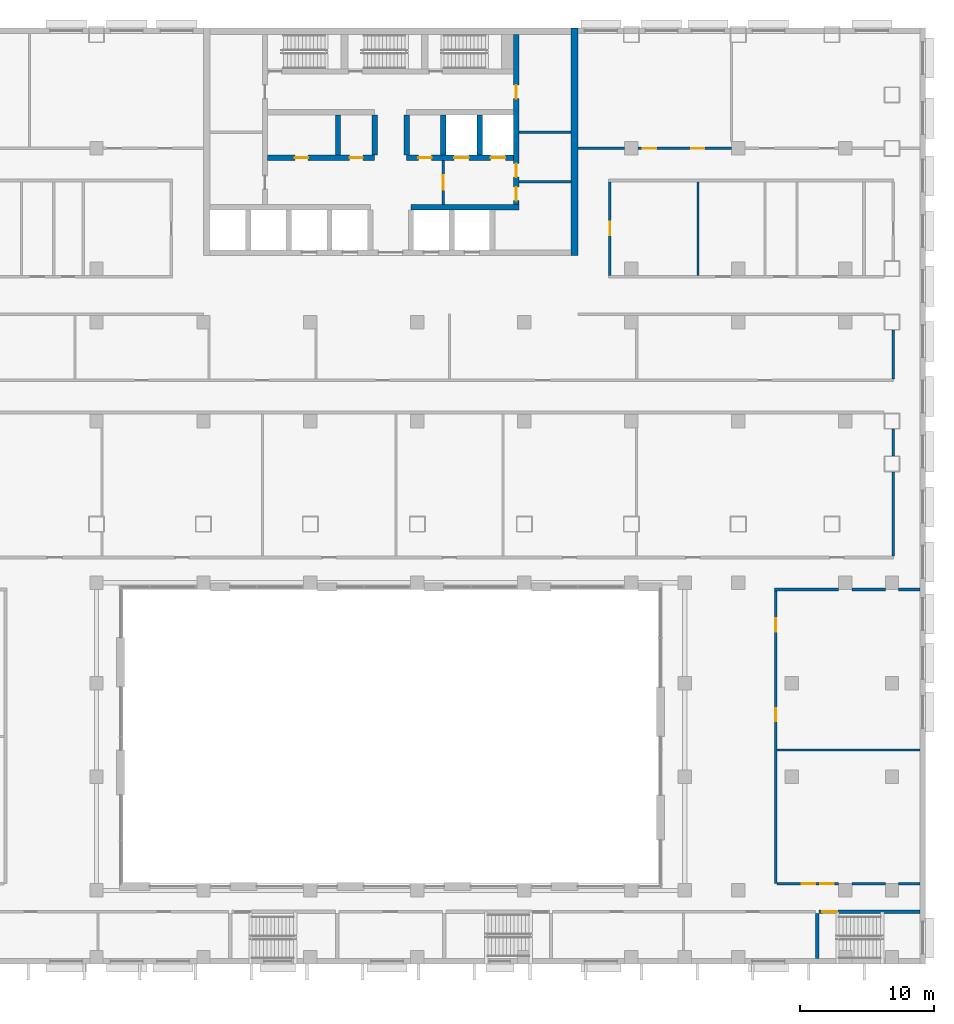
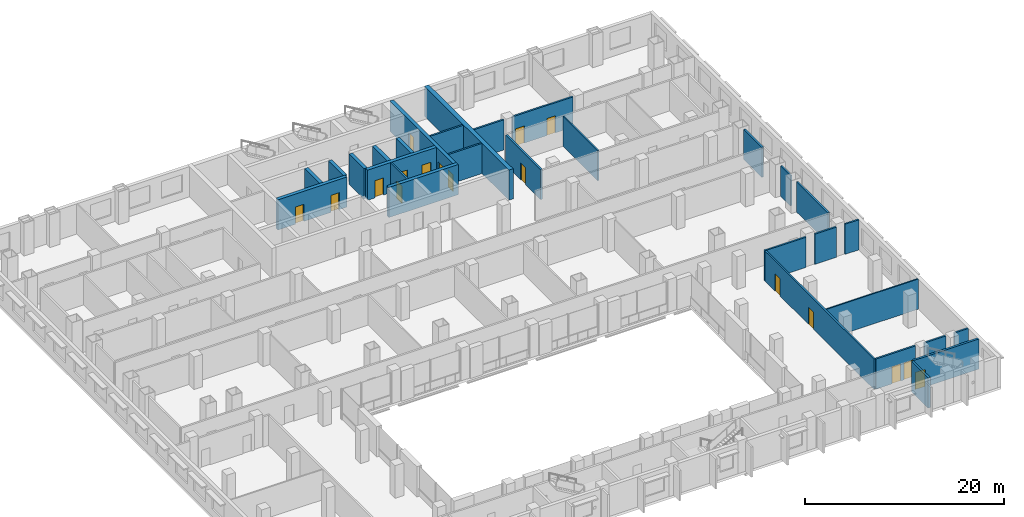
# One storey, part 14 of 25: 30 walls, 17 doors, 17 openings.
"""IFC4 building model written with IfcOpenShell, lengths in metres."""

import ifcopenshell
import ifcopenshell.guid

model = None  # the IFC model being written
_history = None  # IfcOwnerHistory: only IFC2X3 demands one
_inside = {}  # id of a spatial element -> (the spatial element, [elements in it])
_under = {}  # id of a project, library or spatial element -> (it, [spatial elements below it])
_declared = {}  # id of a project -> (the project, [libraries it declares])
_typed = {}  # id of a type object -> (the type object, [elements of that type])
_made_of = {}  # id of a material, layer set ... -> (it, [elements and type objects made of it])


def new_model(schema):
    """Start an empty IFC model of exactly this schema.

    Asked for "IFC4X3", IfcOpenShell would pick the latest addendum, in which some entities
    have other attributes; the version numbers below select the first issue.
    IFC2X3 requires an IfcOwnerHistory on every rooted entity: one is made here for all.
    """
    global model, _history
    if schema == "IFC4X3":
        model = ifcopenshell.file(schema_version=(4, 3, 0, 0))
    else:
        model = ifcopenshell.file(schema=schema)
    _inside.clear()
    _under.clear()
    _declared.clear()
    _typed.clear()
    _made_of.clear()
    _history = None
    if model.schema == "IFC2X3":
        org = make("IfcOrganization", Name="unknown")
        user = make(
            "IfcPersonAndOrganization",
            ThePerson=make("IfcPerson", FamilyName="unknown"),
            TheOrganization=org,
        )
        app = make(
            "IfcApplication",
            ApplicationDeveloper=org,
            Version="unknown",
            ApplicationFullName="unknown",
            ApplicationIdentifier="unknown",
        )
        _history = make(
            "IfcOwnerHistory",
            OwningUser=user,
            OwningApplication=app,
            ChangeAction="ADDED",
            CreationDate=0,
        )
    return model


def make(cls, **values):
    """One entity of the class cls with the attributes given. An attribute that is None is left unset."""
    return model.create_entity(
        cls, **{name: value for name, value in values.items() if value is not None}
    )


def rooted(cls, **values):
    """An entity with a GlobalId (a new one), such as an element, a storey or a relation."""
    return make(cls, GlobalId=ifcopenshell.guid.new(), OwnerHistory=_history, **values)


def si_unit(unit_type, name, prefix=None):
    """IfcSIUnit, for example si_unit("LENGTHUNIT", "METRE", prefix="MILLI")."""
    return make("IfcSIUnit", UnitType=unit_type, Prefix=prefix, Name=name)


def assignment(units):
    """IfcUnitAssignment: the units of a project."""
    return None if units is None else make("IfcUnitAssignment", Units=units)


def point(xyz):
    """IfcCartesianPoint."""
    return None if xyz is None else make("IfcCartesianPoint", Coordinates=xyz)


def direction(xyz):
    """IfcDirection."""
    return None if xyz is None else make("IfcDirection", DirectionRatios=xyz)


def frame(location, z_axis=None, x_axis=None):
    """IfcAxis2Placement3D, a coordinate frame: its origin and axes. An axis left out is left unset."""
    return make(
        "IfcAxis2Placement3D",
        Location=point(location),
        Axis=direction(z_axis),
        RefDirection=direction(x_axis),
    )


def frame_2d(location, x_axis=None):
    """IfcAxis2Placement2D, a coordinate frame in the plane: its origin and x axis."""
    return make(
        "IfcAxis2Placement2D", Location=point(location), RefDirection=direction(x_axis)
    )


def origin():
    """The frame at (0, 0, 0) with its axes left unset."""
    return frame((0.0, 0.0, 0.0))


def place(relative_to, where):
    """IfcLocalPlacement: puts the frame where relative to a parent placement (None: the world)."""
    return make(
        "IfcLocalPlacement", PlacementRelTo=relative_to, RelativePlacement=where
    )


def context(
    kind, dimensions, precision=None, world=None, true_north=None, identifier=None
):
    """IfcGeometricRepresentationContext, for example the 3D "Model" context."""
    return make(
        "IfcGeometricRepresentationContext",
        ContextIdentifier=identifier,
        ContextType=kind,
        CoordinateSpaceDimension=dimensions,
        Precision=precision,
        WorldCoordinateSystem=world,
        TrueNorth=true_north,
    )


def subcontext(parent, identifier, kind, view, scale=None):
    """IfcGeometricRepresentationSubContext, for example "Body" below "Model"."""
    return make(
        "IfcGeometricRepresentationSubContext",
        ContextIdentifier=identifier,
        ContextType=kind,
        ParentContext=parent,
        TargetScale=scale,
        TargetView=view,
    )


def project(units=None, contexts=None):
    """IfcProject with its units and contexts."""
    return rooted(
        "IfcProject",
        Name="project",
        RepresentationContexts=contexts,
        UnitsInContext=assignment(units),
    )


def spatial(cls, under=None, at=None, **own):
    """A site, building, storey or space (cls), placed at a placement, below another one or the project."""
    s = rooted(cls, ObjectPlacement=at, **own)
    if under is not None:
        _under.setdefault(under.id(), (under, []))[1].append(s)
    return s


def profile(cls, at=None, kind="AREA", **sizes):
    """A parametric profile (cls). Its sizes go by their IFC names, for example OverallWidth=200.0."""
    return make(cls, ProfileType=kind, Position=at, **sizes)


def rectangle(**sizes):
    """IfcRectangleProfileDef."""
    return profile("IfcRectangleProfileDef", **sizes)


def extrude(swept, where, along, depth):
    """IfcExtrudedAreaSolid: the profile swept, set in the frame where, extruded along a direction by depth."""
    return make(
        "IfcExtrudedAreaSolid",
        SweptArea=swept,
        Position=where,
        ExtrudedDirection=direction(along),
        Depth=depth,
    )


def shape(context_of_items, identifier, shape_type, items):
    """IfcShapeRepresentation: the items that make up one representation, for example the "Body"."""
    return make(
        "IfcShapeRepresentation",
        ContextOfItems=context_of_items,
        RepresentationIdentifier=identifier,
        RepresentationType=shape_type,
        Items=items,
    )


def material(Name=None, Category=None):
    """IfcMaterial."""
    return make("IfcMaterial", Name=Name, Category=Category)


def layer(
    of_material, thickness, ventilated=None, Name=None, Category=None, Priority=None
):
    """IfcMaterialLayer: one layer of a wall or slab, of a material (None: an air gap)."""
    return make(
        "IfcMaterialLayer",
        Material=of_material,
        LayerThickness=thickness,
        IsVentilated=ventilated,
        Name=Name,
        Category=Category,
        Priority=Priority,
    )


def layer_set(layers, Name=None):
    """IfcMaterialLayerSet."""
    return make("IfcMaterialLayerSet", MaterialLayers=layers, LayerSetName=Name)


def made_of(thing, what):
    """Note that an element or type object is made of a material, layer set ...; save() writes the relation."""
    if what is not None:
        _made_of.setdefault(what.id(), (what, []))[1].append(thing)
    return thing


def type_object(cls, material=None, **own):
    """A type object (cls), such as IfcWallType, which elements share."""
    return made_of(rooted(cls, **own), material)


def element(
    cls,
    number,
    at=None,
    inside=None,
    cuts=None,
    type_object=None,
    material=None,
    context=None,
    identifier="Body",
    shape_type=None,
    held_by="IfcProductDefinitionShape",
    body=None,
    shapes=None,
    **own,
):
    """One element of the class cls, such as IfcWall. Its Tag is "e" and its number.

    at: its placement. inside: the storey or other place that contains it. cuts: it is an
    opening in that element (IfcRelVoidsElement). A single representation is given by context,
    identifier, shape_type and body (its items); several are given by shapes. held_by: the class
    of the entity that holds the representations. save() writes the other relations.
    """
    e = rooted(cls, Tag="e%d" % number, ObjectPlacement=at, **own)
    if body is not None:
        shapes = [shape(context, identifier, shape_type, body)]
    if shapes is not None:
        e.Representation = make(held_by, Representations=shapes)
    if inside is not None:
        _inside.setdefault(inside.id(), (inside, []))[1].append(e)
    if cuts is not None:
        rooted(
            "IfcRelVoidsElement", RelatingBuildingElement=cuts, RelatedOpeningElement=e
        )
    if type_object is not None:
        _typed.setdefault(type_object.id(), (type_object, []))[1].append(e)
    return made_of(e, material)


def fill(opening, filler):
    """IfcRelFillsElement: the door or window that sits in an opening."""
    return rooted(
        "IfcRelFillsElement",
        RelatingOpeningElement=opening,
        RelatedBuildingElement=filler,
    )


def aggregate(whole, parts):
    """IfcRelAggregates: a whole, such as a stair, and the parts it consists of."""
    return rooted("IfcRelAggregates", RelatingObject=whole, RelatedObjects=parts)


def save(model, path):
    """Write the relations noted so far, then the file.

    IfcRelAggregates (storeys below a building ...), IfcRelContainedInSpatialStructure (elements
    in a storey), IfcRelDefinesByType, IfcRelAssociatesMaterial and IfcRelDeclares: one each for
    every whole, place, type object, material and project.
    """
    for whole, parts in _under.values():
        aggregate(whole, parts)
    for where, things in _inside.values():
        rooted(
            "IfcRelContainedInSpatialStructure",
            RelatedElements=things,
            RelatingStructure=where,
        )
    for kind, things in _typed.values():
        rooted("IfcRelDefinesByType", RelatedObjects=things, RelatingType=kind)
    for what, things in _made_of.values():
        rooted("IfcRelAssociatesMaterial", RelatedObjects=things, RelatingMaterial=what)
    for by, libraries in _declared.values():
        rooted("IfcRelDeclares", RelatingContext=by, RelatedDefinitions=libraries)
    model.write(path)


model = new_model("IFC4")

# Units and contexts
model_context = context("Model", 3, precision=1e-05, world=origin(), true_north=direction((0.0, 1.0)))
body_context = subcontext(model_context, "Body", "Model", "MODEL_VIEW")
ifc_project = project(units=[si_unit("LENGTHUNIT", "METRE"), si_unit("AREAUNIT", "SQUARE_METRE"), si_unit("VOLUMEUNIT", "CUBIC_METRE"), si_unit("PLANEANGLEUNIT", "RADIAN"), si_unit("MASSUNIT", "GRAM", prefix="KILO")], contexts=[model_context])

# Site, building, storey
site_placement = place(None, origin())
site = spatial("IfcSite", under=ifc_project, at=site_placement, CompositionType="ELEMENT")
building_placement = place(site_placement, origin())
building = spatial("IfcBuilding", under=site, at=building_placement, Name="Vidyagriha Tower", CompositionType="ELEMENT")
storey_placement = place(building_placement, frame((0.0, 0.0, 10.0)))
storey = spatial("IfcBuildingStorey", under=building, at=storey_placement, Name="L02", CompositionType="ELEMENT", Elevation=10.0)

# Wall, opening, door
ifc_material_1 = material(Name="Concrete C32/40", Category="concrete")
ifc_layer_1 = layer(ifc_material_1, 0.25)
ifc_layer_set_1 = layer_set([ifc_layer_1], Name="Concrete C32/40")
wall_type_1 = type_object("IfcWallType", Name="Concrete Stair Enclosure Wall 250", PredefinedType="SOLIDWALL", material=ifc_layer_set_1)
wall_1_placement = place(storey_placement, frame((32.02490234375, -46.10009765625, 0.0)))
wall_1 = element("IfcWall", 1, at=wall_1_placement, inside=storey, type_object=wall_type_1, Name="L02 Concrete Stair Enclosure Wall 250 006", PredefinedType="SOLIDWALL", context=body_context, shape_type="SweptSolid", body=[
    extrude(rectangle(XDim=7.5751953125, YDim=0.25, at=frame_2d((3.78759765625, 0.0))), origin(), (0.0, 0.0, 1.0), 3.699951171875),
])
opening_1_placement = place(wall_1_placement, frame((0.27001953125, 0.0, 0.0)))
opening_1 = element("IfcOpeningElement", 2, at=opening_1_placement, cuts=wall_1, Name="Opening D02-60", PredefinedType="OPENING", context=body_context, shape_type="SweptSolid", body=[
    extrude(rectangle(XDim=1.10009765625, YDim=2.10009765625, at=frame_2d((0.550048828125, 1.050048828125))), frame((0.0, 0.135009765625, 0.0), z_axis=(0.0, -1.0, 0.0), x_axis=(1.0, 0.0, 0.0)), (0.0, 0.0, 1.0), 0.27001953125),
])
ifc_material_2 = material(Name="Steel fire door set", Category="steel")
door_type_1 = type_object("IfcDoorType", Name="Podium Door 1100x2100 EI 90", OperationType="NOTDEFINED", PredefinedType="DOOR", material=ifc_material_2)
door_1_placement = place(opening_1_placement, origin())
door_1 = element("IfcDoor", 3, at=door_1_placement, inside=storey, type_object=door_type_1, Name="L02 door D02-60", OperationType="SINGLE_SWING_LEFT", OverallHeight=2.10009765625, OverallWidth=1.10009765625, PredefinedType="DOOR", context=body_context, shape_type="SweptSolid", body=[
    extrude(rectangle(XDim=1.10009765625, YDim=2.10009765625, at=frame_2d((0.550048828125, 1.050048828125))), frame((0.0, 0.02490234375, 0.0), z_axis=(0.0, -1.0, 0.0), x_axis=(1.0, 0.0, 0.0)), (0.0, 0.0, 1.0), 0.050048828125),
])
fill(opening_1, door_1)

# Wall
wall_2_placement = place(storey_placement, frame((31.89990234375, -49.60009765625, 0.0), z_axis=(0.0, 0.0, 1.0), x_axis=(0.0, 1.0, 0.0)))
element("IfcWall", 4, at=wall_2_placement, inside=storey, type_object=wall_type_1, Name="L02 Concrete Stair Enclosure Wall 250 075", PredefinedType="SOLIDWALL", context=body_context, shape_type="SweptSolid", body=[
    extrude(rectangle(XDim=3.375, YDim=0.25, at=frame_2d((1.6875, 0.0))), origin(), (0.0, 0.0, 1.0), 3.699951171875),
])

# Wall, openings, doors
ifc_material_3 = material(Name="Concrete C60/75", Category="concrete")
ifc_layer_2 = layer(ifc_material_3, 0.39990234375)
ifc_layer_set_2 = layer_set([ifc_layer_2], Name="Concrete C60/75")
wall_type_2 = type_object("IfcWallType", Name="Core shear wall 400 mm", PredefinedType="SHEAR", material=ifc_layer_set_2)
wall_3_placement = place(storey_placement, frame((9.39990234375, 6.800048828125, 0.0), z_axis=(0.0, 0.0, 1.0), x_axis=(0.0, 1.0, 0.0)))
wall_3 = element("IfcWall", 5, at=wall_3_placement, inside=storey, type_object=wall_type_2, Name="Core east spine wall", PredefinedType="SHEAR", context=body_context, shape_type="SweptSolid", body=[
    extrude(rectangle(XDim=12.699951171875, YDim=0.39990234375, at=frame_2d((6.35009765625, 0.0))), origin(), (0.0, 0.0, 1.0), 3.699951171875),
])
opening_2_placement = place(wall_3_placement, frame((0.300048828125, 0.0, 0.0)))
opening_2 = element("IfcOpeningElement", 6, at=opening_2_placement, cuts=wall_3, Name="Opening D02-11", PredefinedType="OPENING", context=body_context, shape_type="SweptSolid", body=[
    extrude(rectangle(XDim=1.0, YDim=2.10009765625, at=frame_2d((0.5, 1.050048828125))), frame((0.0, 0.2099609375, 0.0), z_axis=(0.0, -1.0, 0.0), x_axis=(1.0, 0.0, 0.0)), (0.0, 0.0, 1.0), 0.419921875),
])
opening_3_placement = place(wall_3_placement, frame((2.050048828125, 0.0, 0.0)))
opening_3 = element("IfcOpeningElement", 7, at=opening_3_placement, cuts=wall_3, Name="Opening D02-12", PredefinedType="OPENING", context=body_context, shape_type="SweptSolid", body=[
    extrude(rectangle(XDim=1.0, YDim=2.10009765625, at=frame_2d((0.5, 1.050048828125))), frame((0.0, 0.2099609375, 0.0), z_axis=(0.0, -1.0, 0.0), x_axis=(1.0, 0.0, 0.0)), (0.0, 0.0, 1.0), 0.419921875),
])
opening_4_placement = place(wall_3_placement, frame((7.925048828125, 0.0, 0.0)))
opening_4 = element("IfcOpeningElement", 8, at=opening_4_placement, cuts=wall_3, Name="Opening D02-13", PredefinedType="OPENING", context=body_context, shape_type="SweptSolid", body=[
    extrude(rectangle(XDim=1.0, YDim=2.10009765625, at=frame_2d((0.5, 1.050048828125))), frame((0.0, 0.2099609375, 0.0), z_axis=(0.0, -1.0, 0.0), x_axis=(1.0, 0.0, 0.0)), (0.0, 0.0, 1.0), 0.419921875),
])
ifc_material_4 = material(Name="Hollow metal door leaf")
door_type_2 = type_object("IfcDoorType", Name="Core room door 1000 x 2100 mm EI 60", OperationType="NOTDEFINED", PredefinedType="DOOR", material=ifc_material_4)
door_2_placement = place(opening_2_placement, origin())
door_2 = element("IfcDoor", 9, at=door_2_placement, inside=storey, type_object=door_type_2, Name="Door Mechanical Riser Room 02.E1", OperationType="SINGLE_SWING_RIGHT", OverallHeight=2.10009765625, OverallWidth=1.0, PredefinedType="DOOR", context=body_context, shape_type="SweptSolid", body=[
    extrude(rectangle(XDim=1.0, YDim=2.10009765625, at=frame_2d((0.5, 1.050048828125))), frame((0.0, 0.02490234375, 0.0), z_axis=(0.0, -1.0, 0.0), x_axis=(1.0, 0.0, 0.0)), (0.0, 0.0, 1.0), 0.050048828125),
])
fill(opening_2, door_2)
door_3_placement = place(opening_3_placement, origin())
door_3 = element("IfcDoor", 10, at=door_3_placement, inside=storey, type_object=door_type_2, Name="Door Electrical Room 02.E2", OperationType="SINGLE_SWING_LEFT", OverallHeight=2.10009765625, OverallWidth=1.0, PredefinedType="DOOR", context=body_context, shape_type="SweptSolid", body=[
    extrude(rectangle(XDim=1.0, YDim=2.10009765625, at=frame_2d((0.5, 1.050048828125))), frame((0.0, 0.02490234375, 0.0), z_axis=(0.0, -1.0, 0.0), x_axis=(1.0, 0.0, 0.0)), (0.0, 0.0, 1.0), 0.050048828125),
])
fill(opening_3, door_3)
door_4_placement = place(opening_4_placement, origin())
door_4 = element("IfcDoor", 11, at=door_4_placement, inside=storey, type_object=door_type_2, Name="Door Refuse Room 02.E3", OperationType="SINGLE_SWING_LEFT", OverallHeight=2.10009765625, OverallWidth=1.0, PredefinedType="DOOR", context=body_context, shape_type="SweptSolid", body=[
    extrude(rectangle(XDim=1.0, YDim=2.10009765625, at=frame_2d((0.5, 1.050048828125))), frame((0.0, 0.02490234375, 0.0), z_axis=(0.0, -1.0, 0.0), x_axis=(1.0, 0.0, 0.0)), (0.0, 0.0, 1.0), 0.050048828125),
])
fill(opening_4, door_4)

# Wall
wall_4_placement = place(storey_placement, frame((1.522216796875, 6.60009765625, 0.0)))
element("IfcWall", 12, at=wall_4_placement, inside=storey, type_object=wall_type_2, Name="Core lobby south wall east", PredefinedType="SHEAR", context=body_context, shape_type="SweptSolid", body=[
    extrude(rectangle(XDim=8.077880859375, YDim=0.39990234375, at=frame_2d((4.0390625, 0.0))), origin(), (0.0, 0.0, 1.0), 3.699951171875),
])

# Wall, openings, doors
wall_5_placement = place(storey_placement, frame((-9.199951171875, 10.300048828125, 0.0)))
wall_5 = element("IfcWall", 13, at=wall_5_placement, inside=storey, type_object=wall_type_2, Name="Core row N front wall", PredefinedType="SHEAR", context=body_context, shape_type="SweptSolid", body=[
    extrude(rectangle(XDim=8.0, YDim=0.39990234375, at=frame_2d((4.0, 0.0))), origin(), (0.0, 0.0, 1.0), 3.699951171875),
])
opening_5_placement = place(wall_5_placement, frame((2.033203125, 0.0, 0.0)))
opening_5 = element("IfcOpeningElement", 14, at=opening_5_placement, cuts=wall_5, Name="Opening D02-02", PredefinedType="OPENING", context=body_context, shape_type="SweptSolid", body=[
    extrude(rectangle(XDim=1.0, YDim=2.10009765625, at=frame_2d((0.5, 1.050048828125))), frame((0.0, 0.2099609375, 0.0), z_axis=(0.0, -1.0, 0.0), x_axis=(1.0, 0.0, 0.0)), (0.0, 0.0, 1.0), 0.419921875),
])
opening_6_placement = place(wall_5_placement, frame((6.13330078125, 0.0, 0.0)))
opening_6 = element("IfcOpeningElement", 15, at=opening_6_placement, cuts=wall_5, Name="Opening D02-03", PredefinedType="OPENING", context=body_context, shape_type="SweptSolid", body=[
    extrude(rectangle(XDim=1.0, YDim=2.10009765625, at=frame_2d((0.5, 1.050048828125))), frame((0.0, 0.2099609375, 0.0), z_axis=(0.0, -1.0, 0.0), x_axis=(1.0, 0.0, 0.0)), (0.0, 0.0, 1.0), 0.419921875),
])
door_5_placement = place(opening_5_placement, frame((1.0, 0.0, 0.0), z_axis=(0.0, 0.0, 1.0), x_axis=(-1.0, 0.0, 0.0)))
door_5 = element("IfcDoor", 16, at=door_5_placement, inside=storey, type_object=door_type_2, Name="Door Communications Room 02.14", OperationType="SINGLE_SWING_RIGHT", OverallHeight=2.10009765625, OverallWidth=1.0, PredefinedType="DOOR", context=body_context, shape_type="SweptSolid", body=[
    extrude(rectangle(XDim=1.0, YDim=2.10009765625, at=frame_2d((0.5, 1.050048828125))), frame((0.0, 0.02490234375, 0.0), z_axis=(0.0, -1.0, 0.0), x_axis=(1.0, 0.0, 0.0)), (0.0, 0.0, 1.0), 0.050048828125),
])
fill(opening_5, door_5)
door_6_placement = place(opening_6_placement, frame((1.0, 0.0, 0.0), z_axis=(0.0, 0.0, 1.0), x_axis=(-1.0, 0.0, 0.0)))
door_6 = element("IfcDoor", 17, at=door_6_placement, inside=storey, type_object=door_type_2, Name="Door Refuse Room 02.15", OperationType="SINGLE_SWING_LEFT", OverallHeight=2.10009765625, OverallWidth=1.0, PredefinedType="DOOR", context=body_context, shape_type="SweptSolid", body=[
    extrude(rectangle(XDim=1.0, YDim=2.10009765625, at=frame_2d((0.5, 1.050048828125))), frame((0.0, 0.02490234375, 0.0), z_axis=(0.0, -1.0, 0.0), x_axis=(1.0, 0.0, 0.0)), (0.0, 0.0, 1.0), 0.050048828125),
])
fill(opening_6, door_6)

wall_6_placement = place(storey_placement, frame((1.199951171875, 10.300048828125, 0.0)))
wall_6 = element("IfcWall", 18, at=wall_6_placement, inside=storey, type_object=wall_type_2, Name="Core row N front wall", PredefinedType="SHEAR", context=body_context, shape_type="SweptSolid", body=[
    extrude(rectangle(XDim=8.0, YDim=0.39990234375, at=frame_2d((4.0, 0.0))), origin(), (0.0, 0.0, 1.0), 3.699951171875),
])
opening_7_placement = place(wall_6_placement, frame((3.550048828125, 0.0, 0.0)))
opening_7 = element("IfcOpeningElement", 19, at=opening_7_placement, cuts=wall_6, Name="Opening LD02-05", PredefinedType="OPENING", context=body_context, shape_type="SweptSolid", body=[
    extrude(rectangle(XDim=1.10009765625, YDim=2.10009765625, at=frame_2d((0.550048828125, 1.050048828125))), frame((0.0, 0.2099609375, 0.0), z_axis=(0.0, -1.0, 0.0), x_axis=(1.0, 0.0, 0.0)), (0.0, 0.0, 1.0), 0.419921875),
])
opening_8_placement = place(wall_6_placement, frame((6.283203125, 0.0, 0.0)))
opening_8 = element("IfcOpeningElement", 20, at=opening_8_placement, cuts=wall_6, Name="Opening LD02-06", PredefinedType="OPENING", context=body_context, shape_type="SweptSolid", body=[
    extrude(rectangle(XDim=1.10009765625, YDim=2.10009765625, at=frame_2d((0.550048828125, 1.050048828125))), frame((0.0, 0.2099609375, 0.0), z_axis=(0.0, -1.0, 0.0), x_axis=(1.0, 0.0, 0.0)), (0.0, 0.0, 1.0), 0.419921875),
])
opening_9_placement = place(wall_6_placement, frame((0.86669921875, 0.0, 0.0)))
opening_9 = element("IfcOpeningElement", 21, at=opening_9_placement, cuts=wall_6, Name="Opening D02-04", PredefinedType="OPENING", context=body_context, shape_type="SweptSolid", body=[
    extrude(rectangle(XDim=1.0, YDim=2.10009765625, at=frame_2d((0.5, 1.050048828125))), frame((0.0, 0.2099609375, 0.0), z_axis=(0.0, -1.0, 0.0), x_axis=(1.0, 0.0, 0.0)), (0.0, 0.0, 1.0), 0.419921875),
])
door_7_placement = place(opening_9_placement, frame((1.0, 0.0, 0.0), z_axis=(0.0, 0.0, 1.0), x_axis=(-1.0, 0.0, 0.0)))
door_7 = element("IfcDoor", 22, at=door_7_placement, inside=storey, type_object=door_type_2, Name="Door Pressurisation Plant Room 02.16", OperationType="SINGLE_SWING_LEFT", OverallHeight=2.10009765625, OverallWidth=1.0, PredefinedType="DOOR", context=body_context, shape_type="SweptSolid", body=[
    extrude(rectangle(XDim=1.0, YDim=2.10009765625, at=frame_2d((0.5, 1.050048828125))), frame((0.0, 0.02490234375, 0.0), z_axis=(0.0, -1.0, 0.0), x_axis=(1.0, 0.0, 0.0)), (0.0, 0.0, 1.0), 0.050048828125),
])
fill(opening_9, door_7)
ifc_material_5 = material(Name="Stainless steel sliding door panel", Category="steel")
door_type_3 = type_object("IfcDoorType", Name="Lift landing door 1100 x 2100 mm EI 90", OperationType="NOTDEFINED", PredefinedType="DOOR", material=ifc_material_5)
door_8_placement = place(opening_7_placement, origin())
door_8 = element("IfcDoor", 23, at=door_8_placement, inside=storey, type_object=door_type_3, Name="Landing door FF1 L02", OperationType="SLIDING_TO_LEFT", OverallHeight=2.10009765625, OverallWidth=1.10009765625, PredefinedType="DOOR", context=body_context, shape_type="SweptSolid", body=[
    extrude(rectangle(XDim=1.10009765625, YDim=2.10009765625, at=frame_2d((0.550048828125, 1.050048828125))), frame((0.0, 0.02490234375, 0.0), z_axis=(0.0, -1.0, 0.0), x_axis=(1.0, 0.0, 0.0)), (0.0, 0.0, 1.0), 0.050048828125),
])
fill(opening_7, door_8)
door_9_placement = place(opening_8_placement, origin())
door_9 = element("IfcDoor", 24, at=door_9_placement, inside=storey, type_object=door_type_3, Name="Landing door FF2 L02", OperationType="SLIDING_TO_LEFT", OverallHeight=2.10009765625, OverallWidth=1.10009765625, PredefinedType="DOOR", context=body_context, shape_type="SweptSolid", body=[
    extrude(rectangle(XDim=1.10009765625, YDim=2.10009765625, at=frame_2d((0.550048828125, 1.050048828125))), frame((0.0, 0.02490234375, 0.0), z_axis=(0.0, -1.0, 0.0), x_axis=(1.0, 0.0, 0.0)), (0.0, 0.0, 1.0), 0.050048828125),
])
fill(opening_8, door_9)

# Walls
for number, where, z_axis, x_axis, name in (
    (25, (-3.933349609375, 10.5, 0.0), (0.0, 0.0, 1.0), (0.0, 1.0, 0.0), "Core bay wall N2"),
    (26, (-1.199951171875, 10.5, 0.0), (0.0, 0.0, 1.0), (0.0, 1.0, 0.0), "Core bay wall N3"),
    (27, (1.199951171875, 10.5, 0.0), (0.0, 0.0, 1.0), (0.0, 1.0, 0.0), "Core bay wall N4"),
    (28, (3.933349609375, 10.5, 0.0), (0.0, 0.0, 1.0), (0.0, 1.0, 0.0), "Core bay wall N5"),
    (29, (6.666748046875, 10.5, 0.0), (0.0, 0.0, 1.0), (0.0, 1.0, 0.0), "Core bay wall N6"),
):
    element("IfcWall", number, at=place(storey_placement, frame(where, z_axis=z_axis, x_axis=x_axis)), inside=storey, type_object=wall_type_2, Name=name, PredefinedType="SHEAR", context=body_context, shape_type="SweptSolid", body=[
        extrude(rectangle(XDim=3.0, YDim=0.39990234375, at=frame_2d((1.5, 0.0))), origin(), (0.0, 0.0, 1.0), 3.699951171875),
    ])
ifc_material_6 = material(Name="Concrete C60/75", Category="concrete")
ifc_layer_3 = layer(ifc_material_6, 0.5)
ifc_layer_set_3 = layer_set([ifc_layer_3], Name="Concrete C60/75")
wall_type_3 = type_object("IfcWallType", Name="Core shear wall 500 mm", PredefinedType="SHEAR", material=ifc_layer_set_3)
wall_7_placement = place(storey_placement, frame((13.75, 3.0, 0.0), z_axis=(0.0, 0.0, 1.0), x_axis=(0.0, 1.0, 0.0)))
element("IfcWall", 30, at=wall_7_placement, inside=storey, type_object=wall_type_3, Name="Core east wall", PredefinedType="SHEAR", context=body_context, shape_type="SweptSolid", body=[
    extrude(rectangle(XDim=17.0, YDim=0.5, at=frame_2d((8.5, 0.0))), origin(), (0.0, 0.0, 1.0), 3.699951171875),
])

# Wall, openings, doors
ifc_material_7 = material(Name="Fire rated gypsum board on light gauge framing")
ifc_layer_4 = layer(ifc_material_7, 0.199951171875)
ifc_layer_set_4 = layer_set([ifc_layer_4], Name="Fire rated gypsum board on light gauge framing")
wall_type_4 = type_object("IfcWallType", Name="Fire Rated Corridor Wall 200", PredefinedType="PARTITIONING", material=ifc_layer_set_4)
wall_8_placement = place(storey_placement, frame((28.900146484375, -44.0, 0.0)))
wall_8 = element("IfcWall", 31, at=wall_8_placement, inside=storey, type_object=wall_type_4, Name="L02 Fire Rated Corridor Wall 200 010", PredefinedType="PARTITIONING", context=body_context, shape_type="SweptSolid", body=[
    extrude(rectangle(XDim=4.599853515625, YDim=0.199951171875, at=frame_2d((2.2998046875, 0.0))), origin(), (0.0, 0.0, 1.0), 3.699951171875),
])
opening_10_placement = place(wall_8_placement, frame((1.864013671875, 0.0, 0.0)))
opening_10 = element("IfcOpeningElement", 32, at=opening_10_placement, cuts=wall_8, Name="Opening D02-18", PredefinedType="OPENING", context=body_context, shape_type="SweptSolid", body=[
    extrude(rectangle(XDim=1.0, YDim=2.10009765625, at=frame_2d((0.5, 1.050048828125))), frame((0.0, 0.10986328125, 0.0), z_axis=(0.0, -1.0, 0.0), x_axis=(1.0, 0.0, 0.0)), (0.0, 0.0, 1.0), 0.219970703125),
])
opening_11_placement = place(wall_8_placement, frame((3.25, 0.0, 0.0)))
opening_11 = element("IfcOpeningElement", 33, at=opening_11_placement, cuts=wall_8, Name="Opening D02-19", PredefinedType="OPENING", context=body_context, shape_type="SweptSolid", body=[
    extrude(rectangle(XDim=1.0, YDim=2.10009765625, at=frame_2d((0.5, 1.050048828125))), frame((0.0, 0.10986328125, 0.0), z_axis=(0.0, -1.0, 0.0), x_axis=(1.0, 0.0, 0.0)), (0.0, 0.0, 1.0), 0.219970703125),
])
ifc_material_8 = material(Name="Steel fire door set", Category="steel")
door_type_4 = type_object("IfcDoorType", Name="Podium Door 1000x2100 EI 30", OperationType="NOTDEFINED", PredefinedType="DOOR", material=ifc_material_8)
door_10_placement = place(opening_10_placement, origin())
door_10 = element("IfcDoor", 34, at=door_10_placement, inside=storey, type_object=door_type_4, Name="L02 door D02-18", OperationType="SINGLE_SWING_RIGHT", OverallHeight=2.10009765625, OverallWidth=1.0, PredefinedType="DOOR", context=body_context, shape_type="SweptSolid", body=[
    extrude(rectangle(XDim=1.0, YDim=2.10009765625, at=frame_2d((0.5, 1.050048828125))), frame((0.0, 0.02490234375, 0.0), z_axis=(0.0, -1.0, 0.0), x_axis=(1.0, 0.0, 0.0)), (0.0, 0.0, 1.0), 0.050048828125),
])
fill(opening_10, door_10)
door_11_placement = place(opening_11_placement, origin())
door_11 = element("IfcDoor", 35, at=door_11_placement, inside=storey, type_object=door_type_4, Name="L02 door D02-19", OperationType="SINGLE_SWING_RIGHT", OverallHeight=2.10009765625, OverallWidth=1.0, PredefinedType="DOOR", context=body_context, shape_type="SweptSolid", body=[
    extrude(rectangle(XDim=1.0, YDim=2.10009765625, at=frame_2d((0.5, 1.050048828125))), frame((0.0, 0.02490234375, 0.0), z_axis=(0.0, -1.0, 0.0), x_axis=(1.0, 0.0, 0.0)), (0.0, 0.0, 1.0), 0.050048828125),
])
fill(opening_11, door_11)

# Walls
wall_9_placement = place(storey_placement, frame((34.5, -44.0, 0.0)))
element("IfcWall", 36, at=wall_9_placement, inside=storey, type_object=wall_type_4, Name="L02 Fire Rated Corridor Wall 200 011", PredefinedType="PARTITIONING", context=body_context, shape_type="SweptSolid", body=[
    extrude(rectangle(XDim=2.5, YDim=0.199951171875, at=frame_2d((1.25, 0.0))), origin(), (0.0, 0.0, 1.0), 3.699951171875),
])
wall_10_placement = place(storey_placement, frame((38.0, -44.0, 0.0)))
element("IfcWall", 37, at=wall_10_placement, inside=storey, type_object=wall_type_4, Name="L02 Fire Rated Corridor Wall 200 012", PredefinedType="PARTITIONING", context=body_context, shape_type="SweptSolid", body=[
    extrude(rectangle(XDim=1.60009765625, YDim=0.199951171875, at=frame_2d((0.800048828125, 0.0))), origin(), (0.0, 0.0, 1.0), 3.699951171875),
])
wall_11_placement = place(storey_placement, frame((28.7001953125, -22.0, 0.0)))
element("IfcWall", 38, at=wall_11_placement, inside=storey, type_object=wall_type_4, Name="L02 Fire Rated Corridor Wall 200 018", PredefinedType="PARTITIONING", context=body_context, shape_type="SweptSolid", body=[
    extrude(rectangle(XDim=4.7998046875, YDim=0.199951171875, at=frame_2d((2.39990234375, 0.0))), origin(), (0.0, 0.0, 1.0), 3.699951171875),
])
wall_12_placement = place(storey_placement, frame((34.5, -22.0, 0.0)))
element("IfcWall", 39, at=wall_12_placement, inside=storey, type_object=wall_type_4, Name="L02 Fire Rated Corridor Wall 200 019", PredefinedType="PARTITIONING", context=body_context, shape_type="SweptSolid", body=[
    extrude(rectangle(XDim=2.5, YDim=0.199951171875, at=frame_2d((1.25, 0.0))), origin(), (0.0, 0.0, 1.0), 3.699951171875),
])
wall_13_placement = place(storey_placement, frame((38.0, -22.0, 0.0)))
element("IfcWall", 40, at=wall_13_placement, inside=storey, type_object=wall_type_4, Name="L02 Fire Rated Corridor Wall 200 020", PredefinedType="PARTITIONING", context=body_context, shape_type="SweptSolid", body=[
    extrude(rectangle(XDim=1.60009765625, YDim=0.199951171875, at=frame_2d((0.800048828125, 0.0))), origin(), (0.0, 0.0, 1.0), 3.699951171875),
])
wall_14_placement = place(storey_placement, frame((14.0, 11.0, 0.0)))
element("IfcWall", 41, at=wall_14_placement, inside=storey, type_object=wall_type_4, Name="L02 Fire Rated Corridor Wall 200 034", PredefinedType="PARTITIONING", context=body_context, shape_type="SweptSolid", body=[
    extrude(rectangle(XDim=3.5, YDim=0.199951171875, at=frame_2d((1.75, 0.0))), origin(), (0.0, 0.0, 1.0), 3.699951171875),
])

# Wall, openings, doors
wall_15_placement = place(storey_placement, frame((18.5, 11.0, 0.0)))
wall_15 = element("IfcWall", 42, at=wall_15_placement, inside=storey, type_object=wall_type_4, Name="L02 Fire Rated Corridor Wall 200 035", PredefinedType="PARTITIONING", context=body_context, shape_type="SweptSolid", body=[
    extrude(rectangle(XDim=7.0, YDim=0.199951171875, at=frame_2d((3.5, 0.0))), origin(), (0.0, 0.0, 1.0), 3.699951171875),
])
opening_12_placement = place(wall_15_placement, frame((0.35009765625, 0.0, 0.0)))
opening_12 = element("IfcOpeningElement", 43, at=opening_12_placement, cuts=wall_15, Name="Opening D02-55", PredefinedType="OPENING", context=body_context, shape_type="SweptSolid", body=[
    extrude(rectangle(XDim=1.0, YDim=2.10009765625, at=frame_2d((0.5, 1.050048828125))), frame((0.0, 0.10986328125, 0.0), z_axis=(0.0, -1.0, 0.0), x_axis=(1.0, 0.0, 0.0)), (0.0, 0.0, 1.0), 0.219970703125),
])
opening_13_placement = place(wall_15_placement, frame((3.969970703125, 0.0, 0.0)))
opening_13 = element("IfcOpeningElement", 44, at=opening_13_placement, cuts=wall_15, Name="Opening D02-56", PredefinedType="OPENING", context=body_context, shape_type="SweptSolid", body=[
    extrude(rectangle(XDim=1.0, YDim=2.10009765625, at=frame_2d((0.5, 1.050048828125))), frame((0.0, 0.10986328125, 0.0), z_axis=(0.0, -1.0, 0.0), x_axis=(1.0, 0.0, 0.0)), (0.0, 0.0, 1.0), 0.219970703125),
])
door_12_placement = place(opening_12_placement, origin())
door_12 = element("IfcDoor", 45, at=door_12_placement, inside=storey, type_object=door_type_4, Name="L02 door D02-55", OperationType="SINGLE_SWING_LEFT", OverallHeight=2.10009765625, OverallWidth=1.0, PredefinedType="DOOR", context=body_context, shape_type="SweptSolid", body=[
    extrude(rectangle(XDim=1.0, YDim=2.10009765625, at=frame_2d((0.5, 1.050048828125))), frame((0.0, 0.02490234375, 0.0), z_axis=(0.0, -1.0, 0.0), x_axis=(1.0, 0.0, 0.0)), (0.0, 0.0, 1.0), 0.050048828125),
])
fill(opening_12, door_12)
door_13_placement = place(opening_13_placement, origin())
door_13 = element("IfcDoor", 46, at=door_13_placement, inside=storey, type_object=door_type_4, Name="L02 door D02-56", OperationType="SINGLE_SWING_RIGHT", OverallHeight=2.10009765625, OverallWidth=1.0, PredefinedType="DOOR", context=body_context, shape_type="SweptSolid", body=[
    extrude(rectangle(XDim=1.0, YDim=2.10009765625, at=frame_2d((0.5, 1.050048828125))), frame((0.0, 0.02490234375, 0.0), z_axis=(0.0, -1.0, 0.0), x_axis=(1.0, 0.0, 0.0)), (0.0, 0.0, 1.0), 0.050048828125),
])
fill(opening_13, door_13)

# Wall, opening, door
wall_16_placement = place(storey_placement, frame((16.39990234375, 1.5, 0.0), z_axis=(0.0, 0.0, 1.0), x_axis=(0.0, 1.0, 0.0)))
wall_16 = element("IfcWall", 47, at=wall_16_placement, inside=storey, type_object=wall_type_4, Name="L02 Fire Rated Corridor Wall 200 065", PredefinedType="PARTITIONING", context=body_context, shape_type="SweptSolid", body=[
    extrude(rectangle(XDim=7.0, YDim=0.199951171875, at=frame_2d((3.5, 0.0))), origin(), (0.0, 0.0, 1.0), 3.699951171875),
])
opening_14_placement = place(wall_16_placement, frame((3.0, 0.0, 0.0)))
opening_14 = element("IfcOpeningElement", 48, at=opening_14_placement, cuts=wall_16, Name="Opening D02-46", PredefinedType="OPENING", context=body_context, shape_type="SweptSolid", body=[
    extrude(rectangle(XDim=1.0, YDim=2.10009765625, at=frame_2d((0.5, 1.050048828125))), frame((0.0, 0.10986328125, 0.0), z_axis=(0.0, -1.0, 0.0), x_axis=(1.0, 0.0, 0.0)), (0.0, 0.0, 1.0), 0.219970703125),
])
door_14_placement = place(opening_14_placement, frame((1.0, 0.0, 0.0), z_axis=(0.0, 0.0, 1.0), x_axis=(-1.0, 0.0, 0.0)))
door_14 = element("IfcDoor", 49, at=door_14_placement, inside=storey, type_object=door_type_4, Name="L02 door D02-46", OperationType="SINGLE_SWING_LEFT", OverallHeight=2.10009765625, OverallWidth=1.0, PredefinedType="DOOR", context=body_context, shape_type="SweptSolid", body=[
    extrude(rectangle(XDim=1.0, YDim=2.10009765625, at=frame_2d((0.5, 1.050048828125))), frame((0.0, 0.02490234375, 0.0), z_axis=(0.0, -1.0, 0.0), x_axis=(1.0, 0.0, 0.0)), (0.0, 0.0, 1.0), 0.050048828125),
])
fill(opening_14, door_14)

# Wall, openings, doors
wall_17_placement = place(storey_placement, frame((28.800048828125, -44.0, 0.0), z_axis=(0.0, 0.0, 1.0), x_axis=(0.0, 1.0, 0.0)))
wall_17 = element("IfcWall", 50, at=wall_17_placement, inside=storey, type_object=wall_type_4, Name="L02 Fire Rated Corridor Wall 200 073", PredefinedType="PARTITIONING", context=body_context, shape_type="SweptSolid", body=[
    extrude(rectangle(XDim=21.89990234375, YDim=0.199951171875, at=frame_2d((10.949951171875, 0.0))), origin(), (0.0, 0.0, 1.0), 3.699951171875),
])
opening_15_placement = place(wall_17_placement, frame((12.139892578125, 0.0, 0.0)))
opening_15 = element("IfcOpeningElement", 51, at=opening_15_placement, cuts=wall_17, Name="Opening D02-20", PredefinedType="OPENING", context=body_context, shape_type="SweptSolid", body=[
    extrude(rectangle(XDim=1.0, YDim=2.10009765625, at=frame_2d((0.5, 1.050048828125))), frame((0.0, 0.10986328125, 0.0), z_axis=(0.0, -1.0, 0.0), x_axis=(1.0, 0.0, 0.0)), (0.0, 0.0, 1.0), 0.219970703125),
])
opening_16_placement = place(wall_17_placement, frame((18.85986328125, 0.0, 0.0)))
opening_16 = element("IfcOpeningElement", 52, at=opening_16_placement, cuts=wall_17, Name="Opening D02-21", PredefinedType="OPENING", context=body_context, shape_type="SweptSolid", body=[
    extrude(rectangle(XDim=1.0, YDim=2.10009765625, at=frame_2d((0.5, 1.050048828125))), frame((0.0, 0.10986328125, 0.0), z_axis=(0.0, -1.0, 0.0), x_axis=(1.0, 0.0, 0.0)), (0.0, 0.0, 1.0), 0.219970703125),
])
door_15_placement = place(opening_15_placement, frame((1.0, 0.0, 0.0), z_axis=(0.0, 0.0, 1.0), x_axis=(-1.0, 0.0, 0.0)))
door_15 = element("IfcDoor", 53, at=door_15_placement, inside=storey, type_object=door_type_4, Name="L02 door D02-20", OperationType="SINGLE_SWING_RIGHT", OverallHeight=2.10009765625, OverallWidth=1.0, PredefinedType="DOOR", context=body_context, shape_type="SweptSolid", body=[
    extrude(rectangle(XDim=1.0, YDim=2.10009765625, at=frame_2d((0.5, 1.050048828125))), frame((0.0, 0.02490234375, 0.0), z_axis=(0.0, -1.0, 0.0), x_axis=(1.0, 0.0, 0.0)), (0.0, 0.0, 1.0), 0.050048828125),
])
fill(opening_15, door_15)
door_16_placement = place(opening_16_placement, frame((1.0, 0.0, 0.0), z_axis=(0.0, 0.0, 1.0), x_axis=(-1.0, 0.0, 0.0)))
door_16 = element("IfcDoor", 54, at=door_16_placement, inside=storey, type_object=door_type_4, Name="L02 door D02-21", OperationType="SINGLE_SWING_RIGHT", OverallHeight=2.10009765625, OverallWidth=1.0, PredefinedType="DOOR", context=body_context, shape_type="SweptSolid", body=[
    extrude(rectangle(XDim=1.0, YDim=2.10009765625, at=frame_2d((0.5, 1.050048828125))), frame((0.0, 0.02490234375, 0.0), z_axis=(0.0, -1.0, 0.0), x_axis=(1.0, 0.0, 0.0)), (0.0, 0.0, 1.0), 0.050048828125),
])
fill(opening_16, door_16)

# Walls
wall_18_placement = place(storey_placement, frame((37.60009765625, -19.5, 0.0), z_axis=(0.0, 0.0, 1.0), x_axis=(0.0, 1.0, 0.0)))
element("IfcWall", 55, at=wall_18_placement, inside=storey, type_object=wall_type_4, Name="L02 Fire Rated Corridor Wall 200 077", PredefinedType="PARTITIONING", context=body_context, shape_type="SweptSolid", body=[
    extrude(rectangle(XDim=6.300048828125, YDim=0.199951171875, at=frame_2d((3.14990234375, 0.0))), origin(), (0.0, 0.0, 1.0), 3.699951171875),
])
wall_19_placement = place(storey_placement, frame((37.60009765625, -12.0, 0.0), z_axis=(0.0, 0.0, 1.0), x_axis=(0.0, 1.0, 0.0)))
element("IfcWall", 56, at=wall_19_placement, inside=storey, type_object=wall_type_4, Name="L02 Fire Rated Corridor Wall 200 078", PredefinedType="PARTITIONING", context=body_context, shape_type="SweptSolid", body=[
    extrude(rectangle(XDim=2.0, YDim=0.199951171875, at=frame_2d((1.0, 0.0))), origin(), (0.0, 0.0, 1.0), 3.699951171875),
])
wall_20_placement = place(storey_placement, frame((37.60009765625, -6.25, 0.0), z_axis=(0.0, 0.0, 1.0), x_axis=(0.0, 1.0, 0.0)))
element("IfcWall", 57, at=wall_20_placement, inside=storey, type_object=wall_type_4, Name="L02 Fire Rated Corridor Wall 200 079", PredefinedType="PARTITIONING", context=body_context, shape_type="SweptSolid", body=[
    extrude(rectangle(XDim=3.64990234375, YDim=0.199951171875, at=frame_2d((1.824951171875, 0.0))), origin(), (0.0, 0.0, 1.0), 3.699951171875),
])
ifc_material_9 = material(Name="Gypsum board on light gauge framing")
ifc_layer_5 = layer(ifc_material_9, 0.14990234375)
ifc_layer_set_5 = layer_set([ifc_layer_5], Name="Gypsum board on light gauge framing")
wall_type_5 = type_object("IfcWallType", Name="Gypsum Board Partition 150", PredefinedType="PARTITIONING", material=ifc_layer_set_5)
wall_21_placement = place(storey_placement, frame((28.89990234375, -34.0, 0.0)))
element("IfcWall", 58, at=wall_21_placement, inside=storey, type_object=wall_type_5, Name="L02 Gypsum Board Partition 150 013", PredefinedType="PARTITIONING", context=body_context, shape_type="SweptSolid", body=[
    extrude(rectangle(XDim=10.7001953125, YDim=0.14990234375, at=frame_2d((5.35009765625, 0.0))), origin(), (0.0, 0.0, 1.0), 3.699951171875),
])
wall_22_placement = place(storey_placement, frame((23.0, 1.5, 0.0), z_axis=(0.0, 0.0, 1.0), x_axis=(0.0, 1.0, 0.0)))
element("IfcWall", 59, at=wall_22_placement, inside=storey, type_object=wall_type_5, Name="L02 Gypsum Board Partition 150 070", PredefinedType="PARTITIONING", context=body_context, shape_type="SweptSolid", body=[
    extrude(rectangle(XDim=7.0, YDim=0.14990234375, at=frame_2d((3.5, 0.0))), origin(), (0.0, 0.0, 1.0), 3.699951171875),
])

# Wall, opening, door
ifc_material_10 = material(Name="Blockwork 15 MPa", Category="masonry")
ifc_layer_6 = layer(ifc_material_10, 0.199951171875)
ifc_layer_set_6 = layer_set([ifc_layer_6], Name="Blockwork 15 MPa")
wall_type_6 = type_object("IfcWallType", Name="Service room partition 200 mm", PredefinedType="PARTITIONING", material=ifc_layer_set_6)
wall_23_placement = place(storey_placement, frame((3.933349609375, 6.800048828125, 0.0), z_axis=(0.0, 0.0, 1.0), x_axis=(0.0, 1.0, 0.0)))
wall_23 = element("IfcWall", 60, at=wall_23_placement, inside=storey, type_object=wall_type_6, Name="Fire-fighting lobby west wall", PredefinedType="PARTITIONING", context=body_context, shape_type="SweptSolid", body=[
    extrude(rectangle(XDim=3.300048828125, YDim=0.199951171875, at=frame_2d((1.64990234375, 0.0))), origin(), (0.0, 0.0, 1.0), 3.699951171875),
])
opening_17_placement = place(wall_23_placement, frame((1.10009765625, 0.0, 0.0)))
opening_17 = element("IfcOpeningElement", 61, at=opening_17_placement, cuts=wall_23, Name="Opening D02-05", PredefinedType="OPENING", context=body_context, shape_type="SweptSolid", body=[
    extrude(rectangle(XDim=1.10009765625, YDim=2.10009765625, at=frame_2d((0.550048828125, 1.050048828125))), frame((0.0, 0.10986328125, 0.0), z_axis=(0.0, -1.0, 0.0), x_axis=(1.0, 0.0, 0.0)), (0.0, 0.0, 1.0), 0.219970703125),
])
ifc_material_11 = material(Name="Hollow metal door leaf")
door_type_5 = type_object("IfcDoorType", Name="Fire-fighting lobby door 1100 x 2100 mm EI 90", OperationType="NOTDEFINED", PredefinedType="DOOR", material=ifc_material_11)
door_17_placement = place(opening_17_placement, origin())
door_17 = element("IfcDoor", 62, at=door_17_placement, inside=storey, type_object=door_type_5, Name="Fire-fighting lobby door L02", OperationType="SINGLE_SWING_RIGHT", OverallHeight=2.10009765625, OverallWidth=1.10009765625, PredefinedType="DOOR", context=body_context, shape_type="SweptSolid", body=[
    extrude(rectangle(XDim=1.10009765625, YDim=2.10009765625, at=frame_2d((0.550048828125, 1.050048828125))), frame((0.0, 0.02490234375, 0.0), z_axis=(0.0, -1.0, 0.0), x_axis=(1.0, 0.0, 0.0)), (0.0, 0.0, 1.0), 0.050048828125),
])
fill(opening_17, door_17)

# Walls
for number, where, name in (
    (63, (9.60009765625, 8.5, 0.0), "Core room partition E1"),
    (64, (9.60009765625, 12.199951171875, 0.0), "Core room partition E2"),
):
    element("IfcWall", number, at=place(storey_placement, frame(where)), inside=storey, type_object=wall_type_6, Name=name, PredefinedType="PARTITIONING", context=body_context, shape_type="SweptSolid", body=[
        extrude(rectangle(XDim=3.89990234375, YDim=0.199951171875, at=frame_2d((1.949951171875, 0.0))), origin(), (0.0, 0.0, 1.0), 3.699951171875),
    ])

save(model, "model.ifc")
